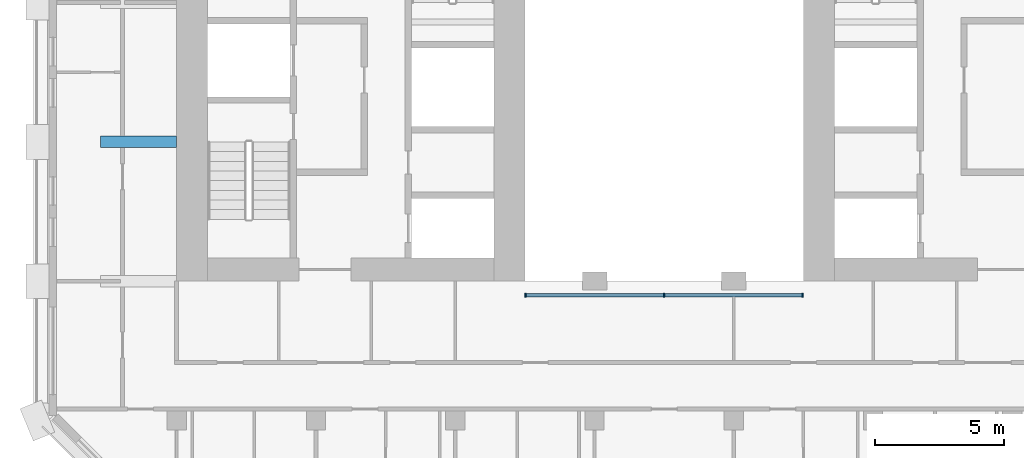
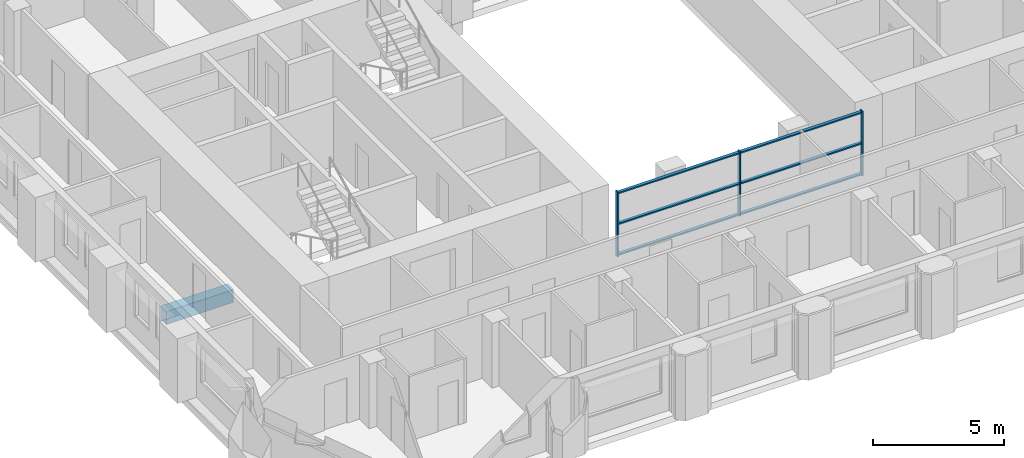
# One storey, part 2 of 14: 9 members, 1 beam, 1 element without a shape of its own.
"""IFC4 building model written with IfcOpenShell, lengths in metres."""

from ifc_helpers import new_model, si_unit, direction, frame, origin, origin_2d, place, context, subcontext, project, spatial, rectangle, extrude, material, material_profile, profile_set, type_object, element, aggregate, save


model = new_model("IFC4")

# Units and contexts
model_context = context("Model", 3, precision=1e-05, world=origin(), true_north=direction((0.0, 1.0)))
body_context = subcontext(model_context, "Body", "Model", "MODEL_VIEW")
ifc_project = project(units=[si_unit("LENGTHUNIT", "METRE"), si_unit("AREAUNIT", "SQUARE_METRE"), si_unit("VOLUMEUNIT", "CUBIC_METRE"), si_unit("PLANEANGLEUNIT", "RADIAN"), si_unit("MASSUNIT", "GRAM", prefix="KILO")], contexts=[model_context])

# Site, building, storey
site_placement = place(None, origin())
site = spatial("IfcSite", under=ifc_project, at=site_placement, CompositionType="ELEMENT")
building_placement = place(site_placement, origin())
building = spatial("IfcBuilding", under=site, at=building_placement, Name="Tabaq Tower and Sports Hall", CompositionType="ELEMENT")
storey_placement = place(building_placement, frame((0.0, 0.0, 223.60009765625)))
storey = spatial("IfcBuildingStorey", under=building, at=storey_placement, Name="L56", CompositionType="ELEMENT", Elevation=223.60009765625)

# Curtain wall, members
ifc_material_1 = material(Name="Aluminium alloy 6063-T6 framed glazing", Category="aluminium")
curtain_wall_type = type_object("IfcCurtainWallType", Name="CW1 curtain wall", PredefinedType="USERDEFINED", material=ifc_material_1)
curtain_wall_placement = place(storey_placement, origin())
curtain_wall = element("IfcCurtainWall", 1, at=curtain_wall_placement, inside=storey, type_object=curtain_wall_type, Name="Atrium glazing L56 S", ObjectType="ATRIUM ENCLOSURE", PredefinedType="USERDEFINED")
ifc_material_2 = material(Name="Aluminium alloy 6063-T6", Category="aluminium")
ifc_material_profile_1 = material_profile(ifc_material_2, rectangle(XDim=0.159912109375, YDim=0.06005859375, at=origin_2d()), Name="MULLION 160x60")
ifc_profile_set_1 = profile_set([ifc_material_profile_1], Name="Aluminium alloy 6063-T6")
member_type_1 = type_object("IfcMemberType", Name="CW1 mullion 160x60", PredefinedType="MULLION", material=ifc_profile_set_1)
member_1_placement = place(storey_placement, frame((18.929931640625, 15.64990234375, 0.0), z_axis=(0.0, 0.0, 1.0), x_axis=(0.0, 1.0, 0.0)))
member_1 = element("IfcMember", 2, at=member_1_placement, type_object=member_type_1, Name="CW1 mullion 1", PredefinedType="MULLION", context=body_context, shape_type="SweptSolid", body=[
    extrude(rectangle(XDim=0.159912109375, YDim=0.06005859375, at=origin_2d()), origin(), (0.0, 0.0, 1.0), 3.0),
])
member_2_placement = place(storey_placement, frame((24.300048828125, 15.64990234375, 0.0), z_axis=(0.0, 0.0, 1.0), x_axis=(0.0, 1.0, 0.0)))
member_2 = element("IfcMember", 3, at=member_2_placement, type_object=member_type_1, Name="CW1 mullion 2", PredefinedType="MULLION", context=body_context, shape_type="SweptSolid", body=[
    extrude(rectangle(XDim=0.159912109375, YDim=0.06005859375, at=origin_2d()), origin(), (0.0, 0.0, 1.0), 3.0),
])
member_3_placement = place(storey_placement, frame((29.669921875, 15.64990234375, 0.0), z_axis=(0.0, 0.0, 1.0), x_axis=(0.0, 1.0, 0.0)))
member_3 = element("IfcMember", 4, at=member_3_placement, type_object=member_type_1, Name="CW1 mullion 3", PredefinedType="MULLION", context=body_context, shape_type="SweptSolid", body=[
    extrude(rectangle(XDim=0.159912109375, YDim=0.06005859375, at=origin_2d()), origin(), (0.0, 0.0, 1.0), 3.0),
])
ifc_material_3 = material(Name="Aluminium alloy 6063-T6", Category="aluminium")
ifc_material_profile_2 = material_profile(ifc_material_3, rectangle(XDim=0.139892578125, YDim=0.06005859375, at=origin_2d()), Name="TRANSOM 140x60")
ifc_profile_set_2 = profile_set([ifc_material_profile_2], Name="Aluminium alloy 6063-T6")
member_type_2 = type_object("IfcMemberType", Name="CW1 transom 140x60", PredefinedType="USERDEFINED", material=ifc_profile_set_2)
member_4_placement = place(storey_placement, frame((18.9599609375, 15.64990234375, 0.06982421875), z_axis=(1.0, 0.0, 0.0), x_axis=(0.0, 1.0, 0.0)))
member_4 = element("IfcMember", 5, at=member_4_placement, type_object=member_type_2, Name="CW1 transom 1.1", ObjectType="TRANSOM", PredefinedType="USERDEFINED", context=body_context, shape_type="SweptSolid", body=[
    extrude(rectangle(XDim=0.139892578125, YDim=0.06005859375, at=origin_2d()), origin(), (0.0, 0.0, 1.0), 5.31005859375),
])
member_5_placement = place(storey_placement, frame((18.9599609375, 15.64990234375, 1.5), z_axis=(1.0, 0.0, 0.0), x_axis=(0.0, 1.0, 0.0)))
member_5 = element("IfcMember", 6, at=member_5_placement, type_object=member_type_2, Name="CW1 transom 1.2", ObjectType="TRANSOM", PredefinedType="USERDEFINED", context=body_context, shape_type="SweptSolid", body=[
    extrude(rectangle(XDim=0.139892578125, YDim=0.06005859375, at=origin_2d()), origin(), (0.0, 0.0, 1.0), 5.31005859375),
])
member_6_placement = place(storey_placement, frame((18.9599609375, 15.64990234375, 2.929931640625), z_axis=(1.0, 0.0, 0.0), x_axis=(0.0, 1.0, 0.0)))
member_6 = element("IfcMember", 7, at=member_6_placement, type_object=member_type_2, Name="CW1 transom 1.3", ObjectType="TRANSOM", PredefinedType="USERDEFINED", context=body_context, shape_type="SweptSolid", body=[
    extrude(rectangle(XDim=0.139892578125, YDim=0.06005859375, at=origin_2d()), origin(), (0.0, 0.0, 1.0), 5.31005859375),
])
member_7_placement = place(storey_placement, frame((24.330078125, 15.64990234375, 0.06982421875), z_axis=(1.0, 0.0, 0.0), x_axis=(0.0, 1.0, 0.0)))
member_7 = element("IfcMember", 8, at=member_7_placement, type_object=member_type_2, Name="CW1 transom 2.1", ObjectType="TRANSOM", PredefinedType="USERDEFINED", context=body_context, shape_type="SweptSolid", body=[
    extrude(rectangle(XDim=0.139892578125, YDim=0.06005859375, at=origin_2d()), origin(), (0.0, 0.0, 1.0), 5.309814453125),
])
member_8_placement = place(storey_placement, frame((24.330078125, 15.64990234375, 1.5), z_axis=(1.0, 0.0, 0.0), x_axis=(0.0, 1.0, 0.0)))
member_8 = element("IfcMember", 9, at=member_8_placement, type_object=member_type_2, Name="CW1 transom 2.2", ObjectType="TRANSOM", PredefinedType="USERDEFINED", context=body_context, shape_type="SweptSolid", body=[
    extrude(rectangle(XDim=0.139892578125, YDim=0.06005859375, at=origin_2d()), origin(), (0.0, 0.0, 1.0), 5.309814453125),
])
member_9_placement = place(storey_placement, frame((24.330078125, 15.64990234375, 2.929931640625), z_axis=(1.0, 0.0, 0.0), x_axis=(0.0, 1.0, 0.0)))
member_9 = element("IfcMember", 10, at=member_9_placement, type_object=member_type_2, Name="CW1 transom 2.3", ObjectType="TRANSOM", PredefinedType="USERDEFINED", context=body_context, shape_type="SweptSolid", body=[
    extrude(rectangle(XDim=0.139892578125, YDim=0.06005859375, at=origin_2d()), origin(), (0.0, 0.0, 1.0), 5.309814453125),
])
aggregate(curtain_wall, [member_1, member_2, member_3, member_4, member_5, member_6, member_7, member_8, member_9])

# Beam
ifc_material_4 = material(Name="Concrete C40/50", Category="concrete")
ifc_material_profile_3 = material_profile(ifc_material_4, rectangle(XDim=0.449951171875, YDim=0.60009765625, at=origin_2d()), Name="CB 450x600")
ifc_profile_set_3 = profile_set([ifc_material_profile_3], Name="Concrete C40/50")
beam_type = type_object("IfcBeamType", Name="PT CANTILEVER BEAM CB 450x600 C40/50", PredefinedType="BEAM", material=ifc_profile_set_3)
beam_placement = place(storey_placement, frame((2.449951171875, 21.60009765625, -0.60009765625), z_axis=(1.0, 0.0, 0.0), x_axis=(0.0, 1.0, 0.0)))
element("IfcBeam", 11, at=beam_placement, inside=storey, type_object=beam_type, Name="Cantilever Beam L56 W4 span 1", PredefinedType="BEAM", context=body_context, shape_type="SweptSolid", body=[
    extrude(rectangle(XDim=0.449951171875, YDim=0.60009765625, at=origin_2d()), origin(), (0.0, 0.0, 1.0), 2.949951171875),
])

save(model, "model.ifc")
